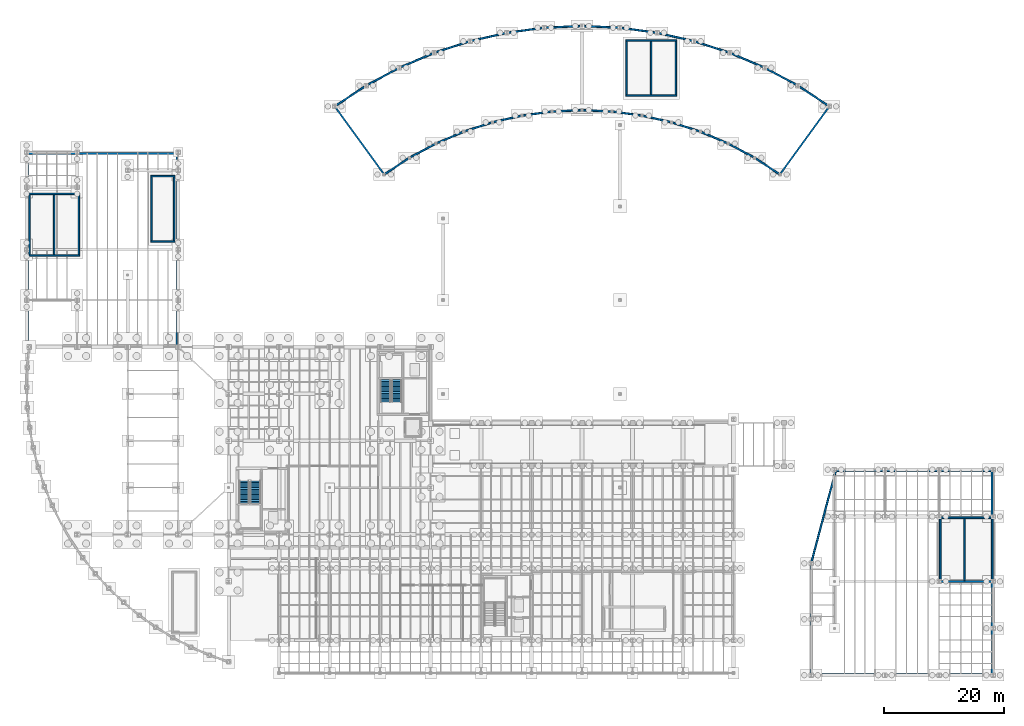
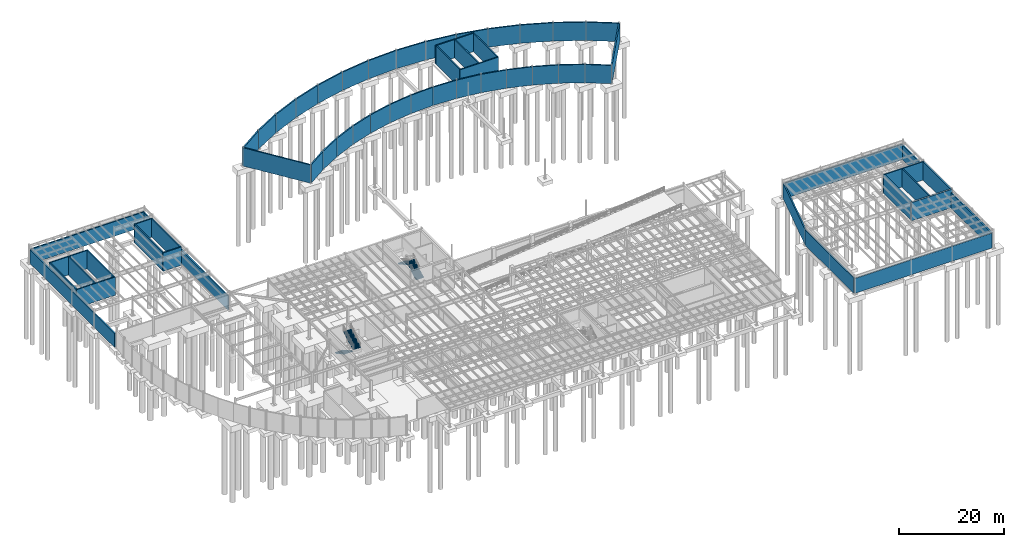
# One storey, part 36 of 41: 58 walls, 4 stair flights, 2 elements without a shape of their own.
"""IFC4 building model written with IfcOpenShell, lengths in metres."""

import ifcopenshell
import ifcopenshell.guid

model = None  # the IFC model being written
_history = None  # IfcOwnerHistory: only IFC2X3 demands one
_inside = {}  # id of a spatial element -> (the spatial element, [elements in it])
_under = {}  # id of a project, library or spatial element -> (it, [spatial elements below it])
_declared = {}  # id of a project -> (the project, [libraries it declares])
_typed = {}  # id of a type object -> (the type object, [elements of that type])
_made_of = {}  # id of a material, layer set ... -> (it, [elements and type objects made of it])


def new_model(schema):
    """Start an empty IFC model of exactly this schema.

    Asked for "IFC4X3", IfcOpenShell would pick the latest addendum, in which some entities
    have other attributes; the version numbers below select the first issue.
    IFC2X3 requires an IfcOwnerHistory on every rooted entity: one is made here for all.
    """
    global model, _history
    if schema == "IFC4X3":
        model = ifcopenshell.file(schema_version=(4, 3, 0, 0))
    else:
        model = ifcopenshell.file(schema=schema)
    _inside.clear()
    _under.clear()
    _declared.clear()
    _typed.clear()
    _made_of.clear()
    _history = None
    if model.schema == "IFC2X3":
        org = make("IfcOrganization", Name="unknown")
        user = make(
            "IfcPersonAndOrganization",
            ThePerson=make("IfcPerson", FamilyName="unknown"),
            TheOrganization=org,
        )
        app = make(
            "IfcApplication",
            ApplicationDeveloper=org,
            Version="unknown",
            ApplicationFullName="unknown",
            ApplicationIdentifier="unknown",
        )
        _history = make(
            "IfcOwnerHistory",
            OwningUser=user,
            OwningApplication=app,
            ChangeAction="ADDED",
            CreationDate=0,
        )
    return model


def make(cls, **values):
    """One entity of the class cls with the attributes given. An attribute that is None is left unset."""
    return model.create_entity(
        cls, **{name: value for name, value in values.items() if value is not None}
    )


def rooted(cls, **values):
    """An entity with a GlobalId (a new one), such as an element, a storey or a relation."""
    return make(cls, GlobalId=ifcopenshell.guid.new(), OwnerHistory=_history, **values)


def si_unit(unit_type, name, prefix=None):
    """IfcSIUnit, for example si_unit("LENGTHUNIT", "METRE", prefix="MILLI")."""
    return make("IfcSIUnit", UnitType=unit_type, Prefix=prefix, Name=name)


def assignment(units):
    """IfcUnitAssignment: the units of a project."""
    return None if units is None else make("IfcUnitAssignment", Units=units)


def point(xyz):
    """IfcCartesianPoint."""
    return None if xyz is None else make("IfcCartesianPoint", Coordinates=xyz)


def direction(xyz):
    """IfcDirection."""
    return None if xyz is None else make("IfcDirection", DirectionRatios=xyz)


def frame(location, z_axis=None, x_axis=None):
    """IfcAxis2Placement3D, a coordinate frame: its origin and axes. An axis left out is left unset."""
    return make(
        "IfcAxis2Placement3D",
        Location=point(location),
        Axis=direction(z_axis),
        RefDirection=direction(x_axis),
    )


def frame_2d(location, x_axis=None):
    """IfcAxis2Placement2D, a coordinate frame in the plane: its origin and x axis."""
    return make(
        "IfcAxis2Placement2D", Location=point(location), RefDirection=direction(x_axis)
    )


def origin():
    """The frame at (0, 0, 0) with its axes left unset."""
    return frame((0.0, 0.0, 0.0))


def place(relative_to, where):
    """IfcLocalPlacement: puts the frame where relative to a parent placement (None: the world)."""
    return make(
        "IfcLocalPlacement", PlacementRelTo=relative_to, RelativePlacement=where
    )


def context(
    kind, dimensions, precision=None, world=None, true_north=None, identifier=None
):
    """IfcGeometricRepresentationContext, for example the 3D "Model" context."""
    return make(
        "IfcGeometricRepresentationContext",
        ContextIdentifier=identifier,
        ContextType=kind,
        CoordinateSpaceDimension=dimensions,
        Precision=precision,
        WorldCoordinateSystem=world,
        TrueNorth=true_north,
    )


def subcontext(parent, identifier, kind, view, scale=None):
    """IfcGeometricRepresentationSubContext, for example "Body" below "Model"."""
    return make(
        "IfcGeometricRepresentationSubContext",
        ContextIdentifier=identifier,
        ContextType=kind,
        ParentContext=parent,
        TargetScale=scale,
        TargetView=view,
    )


def project(units=None, contexts=None):
    """IfcProject with its units and contexts."""
    return rooted(
        "IfcProject",
        Name="project",
        RepresentationContexts=contexts,
        UnitsInContext=assignment(units),
    )


def spatial(cls, under=None, at=None, **own):
    """A site, building, storey or space (cls), placed at a placement, below another one or the project."""
    s = rooted(cls, ObjectPlacement=at, **own)
    if under is not None:
        _under.setdefault(under.id(), (under, []))[1].append(s)
    return s


def polyline(points):
    """IfcPolyline through the points."""
    return make("IfcPolyline", Points=[point(p) for p in points])


def profile(cls, at=None, kind="AREA", **sizes):
    """A parametric profile (cls). Its sizes go by their IFC names, for example OverallWidth=200.0."""
    return make(cls, ProfileType=kind, Position=at, **sizes)


def rectangle(**sizes):
    """IfcRectangleProfileDef."""
    return profile("IfcRectangleProfileDef", **sizes)


def outline(outer, holes=None, kind="AREA"):
    """IfcArbitraryClosedProfileDef: a profile drawn as a closed curve; with holes, ...WithVoids."""
    if holes is None:
        return make("IfcArbitraryClosedProfileDef", ProfileType=kind, OuterCurve=outer)
    return make(
        "IfcArbitraryProfileDefWithVoids",
        ProfileType=kind,
        OuterCurve=outer,
        InnerCurves=holes,
    )


def extrude(swept, where, along, depth):
    """IfcExtrudedAreaSolid: the profile swept, set in the frame where, extruded along a direction by depth."""
    return make(
        "IfcExtrudedAreaSolid",
        SweptArea=swept,
        Position=where,
        ExtrudedDirection=direction(along),
        Depth=depth,
    )


def shape(context_of_items, identifier, shape_type, items):
    """IfcShapeRepresentation: the items that make up one representation, for example the "Body"."""
    return make(
        "IfcShapeRepresentation",
        ContextOfItems=context_of_items,
        RepresentationIdentifier=identifier,
        RepresentationType=shape_type,
        Items=items,
    )


def material(Name=None, Category=None):
    """IfcMaterial."""
    return make("IfcMaterial", Name=Name, Category=Category)


def layer(
    of_material, thickness, ventilated=None, Name=None, Category=None, Priority=None
):
    """IfcMaterialLayer: one layer of a wall or slab, of a material (None: an air gap)."""
    return make(
        "IfcMaterialLayer",
        Material=of_material,
        LayerThickness=thickness,
        IsVentilated=ventilated,
        Name=Name,
        Category=Category,
        Priority=Priority,
    )


def layer_set(layers, Name=None):
    """IfcMaterialLayerSet."""
    return make("IfcMaterialLayerSet", MaterialLayers=layers, LayerSetName=Name)


def made_of(thing, what):
    """Note that an element or type object is made of a material, layer set ...; save() writes the relation."""
    if what is not None:
        _made_of.setdefault(what.id(), (what, []))[1].append(thing)
    return thing


def type_object(cls, material=None, **own):
    """A type object (cls), such as IfcWallType, which elements share."""
    return made_of(rooted(cls, **own), material)


def element(
    cls,
    number,
    at=None,
    inside=None,
    cuts=None,
    type_object=None,
    material=None,
    context=None,
    identifier="Body",
    shape_type=None,
    held_by="IfcProductDefinitionShape",
    body=None,
    shapes=None,
    **own,
):
    """One element of the class cls, such as IfcWall. Its Tag is "e" and its number.

    at: its placement. inside: the storey or other place that contains it. cuts: it is an
    opening in that element (IfcRelVoidsElement). A single representation is given by context,
    identifier, shape_type and body (its items); several are given by shapes. held_by: the class
    of the entity that holds the representations. save() writes the other relations.
    """
    e = rooted(cls, Tag="e%d" % number, ObjectPlacement=at, **own)
    if body is not None:
        shapes = [shape(context, identifier, shape_type, body)]
    if shapes is not None:
        e.Representation = make(held_by, Representations=shapes)
    if inside is not None:
        _inside.setdefault(inside.id(), (inside, []))[1].append(e)
    if cuts is not None:
        rooted(
            "IfcRelVoidsElement", RelatingBuildingElement=cuts, RelatedOpeningElement=e
        )
    if type_object is not None:
        _typed.setdefault(type_object.id(), (type_object, []))[1].append(e)
    return made_of(e, material)


def aggregate(whole, parts):
    """IfcRelAggregates: a whole, such as a stair, and the parts it consists of."""
    return rooted("IfcRelAggregates", RelatingObject=whole, RelatedObjects=parts)


def save(model, path):
    """Write the relations noted so far, then the file.

    IfcRelAggregates (storeys below a building ...), IfcRelContainedInSpatialStructure (elements
    in a storey), IfcRelDefinesByType, IfcRelAssociatesMaterial and IfcRelDeclares: one each for
    every whole, place, type object, material and project.
    """
    for whole, parts in _under.values():
        aggregate(whole, parts)
    for where, things in _inside.values():
        rooted(
            "IfcRelContainedInSpatialStructure",
            RelatedElements=things,
            RelatingStructure=where,
        )
    for kind, things in _typed.values():
        rooted("IfcRelDefinesByType", RelatedObjects=things, RelatingType=kind)
    for what, things in _made_of.values():
        rooted("IfcRelAssociatesMaterial", RelatedObjects=things, RelatingMaterial=what)
    for by, libraries in _declared.values():
        rooted("IfcRelDeclares", RelatingContext=by, RelatedDefinitions=libraries)
    model.write(path)


model = new_model("IFC4")

# Units and contexts
model_context = context("Model", 3, precision=1e-05, world=origin(), true_north=direction((0.0, 1.0)))
body_context = subcontext(model_context, "Body", "Model", "MODEL_VIEW")
ifc_project = project(units=[si_unit("LENGTHUNIT", "METRE"), si_unit("AREAUNIT", "SQUARE_METRE"), si_unit("VOLUMEUNIT", "CUBIC_METRE"), si_unit("PLANEANGLEUNIT", "RADIAN"), si_unit("MASSUNIT", "GRAM", prefix="KILO")], contexts=[model_context])

# Site, building, storey
site_placement = place(None, origin())
site = spatial("IfcSite", under=ifc_project, at=site_placement, CompositionType="ELEMENT")
building_placement = place(site_placement, origin())
building = spatial("IfcBuilding", under=site, at=building_placement, Name="Selat Folded Stagehouse", CompositionType="ELEMENT")
storey_placement = place(building_placement, frame((0.0, 0.0, -4.5)))
storey = spatial("IfcBuildingStorey", under=building, at=storey_placement, Name="B1", CompositionType="ELEMENT", Elevation=-4.5)

# Walls
ifc_material_1 = material(Name="Concrete C50/60", Category="concrete")
ifc_layer_1 = layer(ifc_material_1, 0.25)
ifc_layer_set_1 = layer_set([ifc_layer_1], Name="Concrete C50/60")
wall_type_1 = type_object("IfcWallType", Name="WAL-CORE-250", PredefinedType="SHEAR", material=ifc_layer_set_1)
for number, where, z_axis, x_axis, name in (
    (1, (24.64501953125, 72.1201171875, 0.0), (0.0, 0.0, 1.0), (-1.0, 0.0, 0.0), "B1 ST-07 substructure stem wall S"),
    (2, (20.655029296875, 83.02001953125, 0.0), (0.0, 0.0, 1.0), (1.0, 0.0, 0.0), "B1 ST-07 substructure stem wall N"),
):
    element("IfcWall", number, at=place(storey_placement, frame(where, z_axis=z_axis, x_axis=x_axis)), inside=storey, type_object=wall_type_1, Name=name, PredefinedType="SHEAR", context=body_context, shape_type="SweptSolid", body=[
        extrude(rectangle(XDim=3.989990234375, YDim=0.25, at=frame_2d((1.9951171875, 0.0))), origin(), (0.0, 0.0, 1.0), 4.239990234375),
    ])
for number, where, z_axis, x_axis, name in (
    (3, (20.780029296875, 72.2451171875, 0.0), (0.0, 0.0, 1.0), (0.0, 1.0, 0.0), "B1 ST-07 substructure stem wall W"),
    (4, (24.52001953125, 82.89501953125, 0.0), (0.0, 0.0, 1.0), (0.0, -1.0, 0.0), "B1 ST-07 substructure stem wall E"),
):
    element("IfcWall", number, at=place(storey_placement, frame(where, z_axis=z_axis, x_axis=x_axis)), inside=storey, type_object=wall_type_1, Name=name, PredefinedType="SHEAR", context=body_context, shape_type="SweptSolid", body=[
        extrude(rectangle(XDim=10.64990234375, YDim=0.25, at=frame_2d((5.324951171875, 0.0))), origin(), (0.0, 0.0, 1.0), 4.239990234375),
    ])
wall_1_placement = place(storey_placement, frame((156.02001953125, 26.050048828125, 0.0), z_axis=(0.0, 0.0, 1.0), x_axis=(0.0, -1.0, 0.0)))
element("IfcWall", 5, at=wall_1_placement, inside=storey, type_object=wall_type_1, Name="B1 CR-4 substructure stem wall DIV", PredefinedType="SHEAR", context=body_context, shape_type="SweptSolid", body=[
    extrude(rectangle(XDim=10.300048828125, YDim=0.25, at=frame_2d((5.14990234375, 0.0))), origin(), (0.0, 0.0, 1.0), 4.239990234375),
])
for number, where, z_axis, x_axis, name in (
    (6, (8.824951171875, 69.800048828125, 0.0), (0.0, 0.0, 1.0), (-1.0, 0.0, 0.0), "B1 CR-5 substructure stem wall S"),
    (7, (0.375, 80.06005859375, 0.0), (0.0, 0.0, 1.0), (1.0, 0.0, 0.0), "B1 CR-5 substructure stem wall N"),
):
    element("IfcWall", number, at=place(storey_placement, frame(where, z_axis=z_axis, x_axis=x_axis)), inside=storey, type_object=wall_type_1, Name=name, PredefinedType="SHEAR", context=body_context, shape_type="SweptSolid", body=[
        extrude(rectangle(XDim=8.449951171875, YDim=0.25, at=frame_2d((4.22509765625, 0.0))), origin(), (0.0, 0.0, 1.0), 4.239990234375),
    ])
for number, where, z_axis, x_axis, name in (
    (8, (0.5, 69.925048828125, 0.0), (0.0, 0.0, 1.0), (0.0, 1.0, 0.0), "B1 CR-5 substructure stem wall W"),
    (9, (8.699951171875, 79.93505859375, 0.0), (0.0, 0.0, 1.0), (0.0, -1.0, 0.0), "B1 CR-5 substructure stem wall E"),
    (10, (4.580078125, 79.93505859375, 0.0), (0.0, 0.0, 1.0), (0.0, -1.0, 0.0), "B1 CR-5 substructure stem wall DIV"),
):
    element("IfcWall", number, at=place(storey_placement, frame(where, z_axis=z_axis, x_axis=x_axis)), inside=storey, type_object=wall_type_1, Name=name, PredefinedType="SHEAR", context=body_context, shape_type="SweptSolid", body=[
        extrude(rectangle(XDim=10.010009765625, YDim=0.25, at=frame_2d((5.0048828125, 0.0))), origin(), (0.0, 0.0, 1.0), 4.239990234375),
    ])
for number, where, z_axis, x_axis, name in (
    (11, (108.125, 96.39990234375, 0.0), (0.0, 0.0, 1.0), (-1.0, 0.0, 0.0), "B1 CR-6 substructure stem wall S"),
    (12, (99.675048828125, 105.60009765625, 0.0), (0.0, 0.0, 1.0), (1.0, 0.0, 0.0), "B1 CR-6 substructure stem wall N"),
):
    element("IfcWall", number, at=place(storey_placement, frame(where, z_axis=z_axis, x_axis=x_axis)), inside=storey, type_object=wall_type_1, Name=name, PredefinedType="SHEAR", context=body_context, shape_type="SweptSolid", body=[
        extrude(rectangle(XDim=8.449951171875, YDim=0.25, at=frame_2d((4.22509765625, 0.0))), origin(), (0.0, 0.0, 1.0), 4.239990234375),
    ])
for number, where, z_axis, x_axis, name in (
    (13, (99.800048828125, 96.52490234375, 0.0), (0.0, 0.0, 1.0), (0.0, 1.0, 0.0), "B1 CR-6 substructure stem wall W"),
    (14, (108.0, 105.47509765625, 0.0), (0.0, 0.0, 1.0), (0.0, -1.0, 0.0), "B1 CR-6 substructure stem wall E"),
    (15, (103.8798828125, 105.47509765625, 0.0), (0.0, 0.0, 1.0), (0.0, -1.0, 0.0), "B1 CR-6 substructure stem wall DIV"),
):
    element("IfcWall", number, at=place(storey_placement, frame(where, z_axis=z_axis, x_axis=x_axis)), inside=storey, type_object=wall_type_1, Name=name, PredefinedType="SHEAR", context=body_context, shape_type="SweptSolid", body=[
        extrude(rectangle(XDim=8.9501953125, YDim=0.25, at=frame_2d((4.47509765625, 0.0))), origin(), (0.0, 0.0, 1.0), 4.239990234375),
    ])
ifc_material_2 = material(Name="Precast concrete C40/50", Category="concrete")
ifc_layer_2 = layer(ifc_material_2, 0.280029296875)
ifc_layer_set_2 = layer_set([ifc_layer_2], Name="Precast concrete C40/50")
wall_type_2 = type_object("IfcWallType", Name="WAL-PLINTH-280", PredefinedType="STANDARD", material=ifc_layer_set_2)
wall_2_placement = place(storey_placement, frame((130.510498046875, 0.199951171875, 0.0), z_axis=(0.0, 0.0, 1.0), x_axis=(1.0, 0.0, 0.0)))
element("IfcWall", 16, at=wall_2_placement, inside=storey, type_object=wall_type_2, Name="B1 substructure plinth wall 06", PredefinedType="STANDARD", context=body_context, shape_type="SweptSolid", body=[
    extrude(rectangle(XDim=30.089599609375, YDim=0.280029296875, at=frame_2d((15.044921875, 0.0))), origin(), (0.0, 0.0, 1.0), 3.460205078125),
])
wall_3_placement = place(storey_placement, frame((160.60009765625, 0.199951171875, 0.0), z_axis=(0.0, 0.0, 1.0), x_axis=(0.0, 1.0, 0.0)))
element("IfcWall", 17, at=wall_3_placement, inside=storey, type_object=wall_type_2, Name="B1 substructure plinth wall 07", PredefinedType="STANDARD", context=body_context, shape_type="SweptSolid", body=[
    extrude(rectangle(XDim=15.320068359375, YDim=0.280029296875, at=frame_2d((7.66015625, 0.0))), origin(), (0.0, 0.0, 1.0), 3.54638671875),
])
wall_4_placement = place(storey_placement, frame((160.60009765625, 26.550048828125, 0.0), z_axis=(0.0, 0.0, 1.0), x_axis=(0.0, 1.0, 0.0)))
element("IfcWall", 18, at=wall_4_placement, inside=storey, type_object=wall_type_2, Name="B1 substructure plinth wall 08", PredefinedType="STANDARD", context=body_context, shape_type="SweptSolid", body=[
    extrude(rectangle(XDim=7.449951171875, YDim=0.280029296875, at=frame_2d((3.72509765625, 0.0))), origin(), (0.0, 0.0, 1.0), 3.379150390625),
])
wall_5_placement = place(storey_placement, frame((160.60009765625, 34.0, 0.0), z_axis=(0.0, 0.0, 1.0), x_axis=(-1.0, 0.0, 0.0)))
element("IfcWall", 19, at=wall_5_placement, inside=storey, type_object=wall_type_2, Name="B1 substructure plinth wall 09", PredefinedType="STANDARD", context=body_context, shape_type="SweptSolid", body=[
    extrude(rectangle(XDim=26.0, YDim=0.280029296875, at=frame_2d((13.0, 0.0))), origin(), (0.0, 0.0, 1.0), 3.54638671875),
])
wall_6_placement = place(storey_placement, frame((134.60009765625, 34.0, 0.0), z_axis=(0.0, 0.0, 1.0), x_axis=(-0.256664019692, -0.966500688564, 0.0)))
element("IfcWall", 20, at=wall_6_placement, inside=storey, type_object=wall_type_2, Name="B1 substructure plinth wall 10", PredefinedType="STANDARD", context=body_context, shape_type="SweptSolid", body=[
    extrude(rectangle(XDim=15.93359375, YDim=0.280029296875, at=frame_2d((7.966796875, 0.0))), origin(), (0.0, 0.0, 1.0), 3.54638671875),
])
wall_7_placement = place(storey_placement, frame((130.510498046875, 18.60009765625, 0.0), z_axis=(0.0, 0.0, 1.0), x_axis=(0.0, -1.0, 0.0)))
element("IfcWall", 21, at=wall_7_placement, inside=storey, type_object=wall_type_2, Name="B1 substructure plinth wall 11", PredefinedType="STANDARD", context=body_context, shape_type="SweptSolid", body=[
    extrude(rectangle(XDim=18.400146484375, YDim=0.280029296875, at=frame_2d((9.2001953125, 0.0))), origin(), (0.0, 0.0, 1.0), 3.54638671875),
])
wall_8_placement = place(storey_placement, frame((25.0, 54.800048828125, 0.0), z_axis=(0.0, 0.0, 1.0), x_axis=(0.0, 1.0, 0.0)))
element("IfcWall", 22, at=wall_8_placement, inside=storey, type_object=wall_type_2, Name="B1 substructure plinth wall 13", PredefinedType="STANDARD", context=body_context, shape_type="SweptSolid", body=[
    extrude(rectangle(XDim=32.0, YDim=0.280029296875, at=frame_2d((16.0, 0.0))), origin(), (0.0, 0.0, 1.0), 3.2119140625),
])
wall_9_placement = place(storey_placement, frame((25.0, 86.800048828125, 0.0), z_axis=(0.0, 0.0, 1.0), x_axis=(-1.0, 0.0, 0.0)))
element("IfcWall", 23, at=wall_9_placement, inside=storey, type_object=wall_type_2, Name="B1 substructure plinth wall 14", PredefinedType="STANDARD", context=body_context, shape_type="SweptSolid", body=[
    extrude(rectangle(XDim=24.800048828125, YDim=0.280029296875, at=frame_2d((12.39990234375, 0.0))), origin(), (0.0, 0.0, 1.0), 3.369140625),
])
wall_10_placement = place(storey_placement, frame((0.199951171875, 86.800048828125, 0.0), z_axis=(0.0, 0.0, 1.0), x_axis=(0.0, -1.0, 0.0)))
element("IfcWall", 24, at=wall_10_placement, inside=storey, type_object=wall_type_2, Name="B1 substructure plinth wall 15", PredefinedType="STANDARD", context=body_context, shape_type="SweptSolid", body=[
    extrude(rectangle(XDim=32.0, YDim=0.280029296875, at=frame_2d((16.0, 0.0))), origin(), (0.0, 0.0, 1.0), 3.2119140625),
])
wall_11_placement = place(storey_placement, frame((59.48388671875, 83.304931640625, 0.0), z_axis=(0.0, 0.0, 1.0), x_axis=(0.834583047468, 0.550882144274, 0.0)))
element("IfcWall", 25, at=wall_11_placement, inside=storey, type_object=wall_type_2, Name="B1 substructure plinth wall 36", PredefinedType="STANDARD", context=body_context, shape_type="SweptSolid", body=[
    extrude(rectangle(XDim=5.02490234375, YDim=0.280029296875, at=frame_2d((2.512451171875, 0.0))), origin(), (0.0, 0.0, 1.0), 4.239990234375),
])
wall_12_placement = place(storey_placement, frame((51.2548828125, 94.631103515625, 0.0), z_axis=(0.0, 0.0, 1.0), x_axis=(0.834582959038, 0.550882278244, 0.0)))
element("IfcWall", 26, at=wall_12_placement, inside=storey, type_object=wall_type_2, Name="B1 substructure plinth wall 37", PredefinedType="STANDARD", context=body_context, shape_type="SweptSolid", body=[
    extrude(rectangle(XDim=6.28125, YDim=0.280029296875, at=frame_2d((3.140625, 0.0))), origin(), (0.0, 0.0, 1.0), 4.239990234375),
])
wall_13_placement = place(storey_placement, frame((63.677490234375, 86.072998046875, 0.0), z_axis=(0.0, 0.0, 1.0), x_axis=(0.880584957194, 0.473888312964, 0.0)))
element("IfcWall", 27, at=wall_13_placement, inside=storey, type_object=wall_type_2, Name="B1 substructure plinth wall 38", PredefinedType="STANDARD", context=body_context, shape_type="SweptSolid", body=[
    extrude(rectangle(XDim=5.025146484375, YDim=0.280029296875, at=frame_2d((2.5126953125, 0.0))), origin(), (0.0, 0.0, 1.0), 4.239990234375),
])
wall_14_placement = place(storey_placement, frame((56.4970703125, 98.09130859375, 0.0), z_axis=(0.0, 0.0, 1.0), x_axis=(0.880582156138, 0.473893517883, 0.0)))
element("IfcWall", 28, at=wall_14_placement, inside=storey, type_object=wall_type_2, Name="B1 substructure plinth wall 39", PredefinedType="STANDARD", context=body_context, shape_type="SweptSolid", body=[
    extrude(rectangle(XDim=6.281005859375, YDim=0.280029296875, at=frame_2d((3.140625, 0.0))), origin(), (0.0, 0.0, 1.0), 4.239990234375),
])
wall_15_placement = place(storey_placement, frame((68.1025390625, 88.454345703125, 0.0), z_axis=(0.0, 0.0, 1.0), x_axis=(0.919526599499, 0.393027776135, 0.0)))
element("IfcWall", 29, at=wall_15_placement, inside=storey, type_object=wall_type_2, Name="B1 substructure plinth wall 40", PredefinedType="STANDARD", context=body_context, shape_type="SweptSolid", body=[
    extrude(rectangle(XDim=5.024658203125, YDim=0.280029296875, at=frame_2d((2.51220703125, 0.0))), origin(), (0.0, 0.0, 1.0), 4.239990234375),
])
wall_16_placement = place(storey_placement, frame((62.028076171875, 101.06787109375, 0.0), z_axis=(0.0, 0.0, 1.0), x_axis=(0.919534614305, 0.393009024189, 0.0)))
element("IfcWall", 30, at=wall_16_placement, inside=storey, type_object=wall_type_2, Name="B1 substructure plinth wall 41", PredefinedType="STANDARD", context=body_context, shape_type="SweptSolid", body=[
    extrude(rectangle(XDim=6.281005859375, YDim=0.280029296875, at=frame_2d((3.140625, 0.0))), origin(), (0.0, 0.0, 1.0), 4.239990234375),
])
wall_17_placement = place(storey_placement, frame((72.722900390625, 90.42919921875, 0.0), z_axis=(0.0, 0.0, 1.0), x_axis=(0.951060843481, 0.309003676349, 0.0)))
element("IfcWall", 31, at=wall_17_placement, inside=storey, type_object=wall_type_2, Name="B1 substructure plinth wall 42", PredefinedType="STANDARD", context=body_context, shape_type="SweptSolid", body=[
    extrude(rectangle(XDim=5.02490234375, YDim=0.280029296875, at=frame_2d((2.512451171875, 0.0))), origin(), (0.0, 0.0, 1.0), 4.239990234375),
])
wall_18_placement = place(storey_placement, frame((67.8037109375, 103.536376953125, 0.0), z_axis=(0.0, 0.0, 1.0), x_axis=(0.951058059905, 0.309012243593, 0.0)))
element("IfcWall", 32, at=wall_18_placement, inside=storey, type_object=wall_type_2, Name="B1 substructure plinth wall 43", PredefinedType="STANDARD", context=body_context, shape_type="SweptSolid", body=[
    extrude(rectangle(XDim=6.281005859375, YDim=0.280029296875, at=frame_2d((3.140625, 0.0))), origin(), (0.0, 0.0, 1.0), 4.239990234375),
])
wall_19_placement = place(storey_placement, frame((77.501953125, 91.98193359375, 0.0), z_axis=(0.0, 0.0, 1.0), x_axis=(0.974927211846, 0.222524002305, 0.0)))
element("IfcWall", 33, at=wall_19_placement, inside=storey, type_object=wall_type_2, Name="B1 substructure plinth wall 44", PredefinedType="STANDARD", context=body_context, shape_type="SweptSolid", body=[
    extrude(rectangle(XDim=5.02490234375, YDim=0.280029296875, at=frame_2d((2.512451171875, 0.0))), origin(), (0.0, 0.0, 1.0), 4.239990234375),
])
wall_20_placement = place(storey_placement, frame((73.77734375, 105.477294921875, 0.0), z_axis=(0.0, 0.0, 1.0), x_axis=(0.974926249486, 0.222528218575, 0.0)))
element("IfcWall", 34, at=wall_20_placement, inside=storey, type_object=wall_type_2, Name="B1 substructure plinth wall 45", PredefinedType="STANDARD", context=body_context, shape_type="SweptSolid", body=[
    extrude(rectangle(XDim=6.281005859375, YDim=0.280029296875, at=frame_2d((3.140625, 0.0))), origin(), (0.0, 0.0, 1.0), 4.239990234375),
])
wall_21_placement = place(storey_placement, frame((82.40087890625, 93.10009765625, 0.0), z_axis=(0.0, 0.0, 1.0), x_axis=(0.9909477611, 0.134248034514, 0.0)))
element("IfcWall", 35, at=wall_21_placement, inside=storey, type_object=wall_type_2, Name="B1 substructure plinth wall 46", PredefinedType="STANDARD", context=body_context, shape_type="SweptSolid", body=[
    extrude(rectangle(XDim=5.024658203125, YDim=0.280029296875, at=frame_2d((2.51220703125, 0.0))), origin(), (0.0, 0.0, 1.0), 4.239990234375),
])
wall_22_placement = place(storey_placement, frame((79.90087890625, 106.875, 0.0), z_axis=(0.0, 0.0, 1.0), x_axis=(0.990947344037, 0.134251113014, 0.0)))
element("IfcWall", 36, at=wall_22_placement, inside=storey, type_object=wall_type_2, Name="B1 substructure plinth wall 47", PredefinedType="STANDARD", context=body_context, shape_type="SweptSolid", body=[
    extrude(rectangle(XDim=6.28125, YDim=0.280029296875, at=frame_2d((3.140625, 0.0))), origin(), (0.0, 0.0, 1.0), 4.239990234375),
])
wall_23_placement = place(storey_placement, frame((87.380126953125, 93.774658203125, 0.0), z_axis=(0.0, 0.0, 1.0), x_axis=(0.998993927779, 0.044845649304, 0.0)))
element("IfcWall", 37, at=wall_23_placement, inside=storey, type_object=wall_type_2, Name="B1 substructure plinth wall 48", PredefinedType="STANDARD", context=body_context, shape_type="SweptSolid", body=[
    extrude(rectangle(XDim=5.02490234375, YDim=0.280029296875, at=frame_2d((2.512451171875, 0.0))), origin(), (0.0, 0.0, 1.0), 4.239990234375),
])
wall_24_placement = place(storey_placement, frame((86.125244140625, 107.71826171875, 0.0), z_axis=(0.0, 0.0, 1.0), x_axis=(0.998993472837, 0.044855782563, 0.0)))
element("IfcWall", 38, at=wall_24_placement, inside=storey, type_object=wall_type_2, Name="B1 substructure plinth wall 49", PredefinedType="STANDARD", context=body_context, shape_type="SweptSolid", body=[
    extrude(rectangle(XDim=6.281005859375, YDim=0.280029296875, at=frame_2d((3.140625, 0.0))), origin(), (0.0, 0.0, 1.0), 4.239990234375),
])
wall_25_placement = place(storey_placement, frame((92.39990234375, 94.0, 0.0), z_axis=(0.0, 0.0, 1.0), x_axis=(0.998994025486, -0.044843472693, 0.0)))
element("IfcWall", 39, at=wall_25_placement, inside=storey, type_object=wall_type_2, Name="B1 substructure plinth wall 50", PredefinedType="STANDARD", context=body_context, shape_type="SweptSolid", body=[
    extrude(rectangle(XDim=5.025146484375, YDim=0.280029296875, at=frame_2d((2.5126953125, 0.0))), origin(), (0.0, 0.0, 1.0), 4.239990234375),
])
wall_26_placement = place(storey_placement, frame((92.39990234375, 108.0, 0.0), z_axis=(0.0, 0.0, 1.0), x_axis=(0.99899355104, -0.044854040849, 0.0)))
element("IfcWall", 40, at=wall_26_placement, inside=storey, type_object=wall_type_2, Name="B1 substructure plinth wall 51", PredefinedType="STANDARD", context=body_context, shape_type="SweptSolid", body=[
    extrude(rectangle(XDim=6.28125, YDim=0.280029296875, at=frame_2d((3.140625, 0.0))), origin(), (0.0, 0.0, 1.0), 4.239990234375),
])
wall_27_placement = place(storey_placement, frame((97.419921875, 93.774658203125, 0.0), z_axis=(0.0, 0.0, 1.0), x_axis=(0.9909477611, -0.134248034514, 0.0)))
element("IfcWall", 41, at=wall_27_placement, inside=storey, type_object=wall_type_2, Name="B1 substructure plinth wall 52", PredefinedType="STANDARD", context=body_context, shape_type="SweptSolid", body=[
    extrude(rectangle(XDim=5.024658203125, YDim=0.280029296875, at=frame_2d((2.51220703125, 0.0))), origin(), (0.0, 0.0, 1.0), 4.239990234375),
])
wall_28_placement = place(storey_placement, frame((98.6748046875, 107.71826171875, 0.0), z_axis=(0.0, 0.0, 1.0), x_axis=(0.990946643459, -0.134256284087, 0.0)))
element("IfcWall", 42, at=wall_28_placement, inside=storey, type_object=wall_type_2, Name="B1 substructure plinth wall 53", PredefinedType="STANDARD", context=body_context, shape_type="SweptSolid", body=[
    extrude(rectangle(XDim=6.281005859375, YDim=0.280029296875, at=frame_2d((3.140625, 0.0))), origin(), (0.0, 0.0, 1.0), 4.239990234375),
])
wall_29_placement = place(storey_placement, frame((102.399169921875, 93.10009765625, 0.0), z_axis=(0.0, 0.0, 1.0), x_axis=(0.974927211846, -0.222524002305, 0.0)))
element("IfcWall", 43, at=wall_29_placement, inside=storey, type_object=wall_type_2, Name="B1 substructure plinth wall 54", PredefinedType="STANDARD", context=body_context, shape_type="SweptSolid", body=[
    extrude(rectangle(XDim=5.02490234375, YDim=0.280029296875, at=frame_2d((2.512451171875, 0.0))), origin(), (0.0, 0.0, 1.0), 4.239990234375),
])
wall_30_placement = place(storey_placement, frame((104.89892578125, 106.875, 0.0), z_axis=(0.0, 0.0, 1.0), x_axis=(0.974928174151, -0.22251978619, 0.0)))
element("IfcWall", 44, at=wall_30_placement, inside=storey, type_object=wall_type_2, Name="B1 substructure plinth wall 55", PredefinedType="STANDARD", context=body_context, shape_type="SweptSolid", body=[
    extrude(rectangle(XDim=6.28125, YDim=0.280029296875, at=frame_2d((3.140625, 0.0))), origin(), (0.0, 0.0, 1.0), 4.239990234375),
])
wall_31_placement = place(storey_placement, frame((107.298095703125, 91.98193359375, 0.0), z_axis=(0.0, 0.0, 1.0), x_axis=(0.951056204058, -0.309017955339, 0.0)))
element("IfcWall", 45, at=wall_31_placement, inside=storey, type_object=wall_type_2, Name="B1 substructure plinth wall 56", PredefinedType="STANDARD", context=body_context, shape_type="SweptSolid", body=[
    extrude(rectangle(XDim=5.024658203125, YDim=0.280029296875, at=frame_2d((2.51220703125, 0.0))), origin(), (0.0, 0.0, 1.0), 4.239990234375),
])
wall_32_placement = place(storey_placement, frame((111.022705078125, 105.477294921875, 0.0), z_axis=(0.0, 0.0, 1.0), x_axis=(0.951054348109, -0.309023667285, 0.0)))
element("IfcWall", 46, at=wall_32_placement, inside=storey, type_object=wall_type_2, Name="B1 substructure plinth wall 57", PredefinedType="STANDARD", context=body_context, shape_type="SweptSolid", body=[
    extrude(rectangle(XDim=6.28076171875, YDim=0.280029296875, at=frame_2d((3.140380859375, 0.0))), origin(), (0.0, 0.0, 1.0), 4.239990234375),
])
wall_33_placement = place(storey_placement, frame((112.076904296875, 90.42919921875, 0.0), z_axis=(0.0, 0.0, 1.0), x_axis=(0.919534104414, -0.393010217194, 0.0)))
element("IfcWall", 47, at=wall_33_placement, inside=storey, type_object=wall_type_2, Name="B1 substructure plinth wall 58", PredefinedType="STANDARD", context=body_context, shape_type="SweptSolid", body=[
    extrude(rectangle(XDim=5.02490234375, YDim=0.280029296875, at=frame_2d((2.512451171875, 0.0))), origin(), (0.0, 0.0, 1.0), 4.239990234375),
])
wall_34_placement = place(storey_placement, frame((116.99609375, 103.536376953125, 0.0), z_axis=(0.0, 0.0, 1.0), x_axis=(0.919540617607, -0.392994977793, 0.0)))
element("IfcWall", 48, at=wall_34_placement, inside=storey, type_object=wall_type_2, Name="B1 substructure plinth wall 59", PredefinedType="STANDARD", context=body_context, shape_type="SweptSolid", body=[
    extrude(rectangle(XDim=6.28125, YDim=0.280029296875, at=frame_2d((3.140625, 0.0))), origin(), (0.0, 0.0, 1.0), 4.239990234375),
])
wall_35_placement = place(storey_placement, frame((116.697509765625, 88.454345703125, 0.0), z_axis=(0.0, 0.0, 1.0), x_axis=(0.880574045979, -0.473908587755, 0.0)))
element("IfcWall", 49, at=wall_35_placement, inside=storey, type_object=wall_type_2, Name="B1 substructure plinth wall 60", PredefinedType="STANDARD", context=body_context, shape_type="SweptSolid", body=[
    extrude(rectangle(XDim=5.02490234375, YDim=0.280029296875, at=frame_2d((2.512451171875, 0.0))), origin(), (0.0, 0.0, 1.0), 4.239990234375),
])
wall_36_placement = place(storey_placement, frame((122.77197265625, 101.06787109375, 0.0), z_axis=(0.0, 0.0, 1.0), x_axis=(0.880582156138, -0.473893517883, 0.0)))
element("IfcWall", 50, at=wall_36_placement, inside=storey, type_object=wall_type_2, Name="B1 substructure plinth wall 61", PredefinedType="STANDARD", context=body_context, shape_type="SweptSolid", body=[
    extrude(rectangle(XDim=6.281005859375, YDim=0.280029296875, at=frame_2d((3.140625, 0.0))), origin(), (0.0, 0.0, 1.0), 4.239990234375),
])
wall_37_placement = place(storey_placement, frame((121.122314453125, 86.072998046875, 0.0), z_axis=(0.0, 0.0, 1.0), x_axis=(0.834583047468, -0.550882144274, 0.0)))
element("IfcWall", 51, at=wall_37_placement, inside=storey, type_object=wall_type_2, Name="B1 substructure plinth wall 62", PredefinedType="STANDARD", context=body_context, shape_type="SweptSolid", body=[
    extrude(rectangle(XDim=5.02490234375, YDim=0.280029296875, at=frame_2d((2.512451171875, 0.0))), origin(), (0.0, 0.0, 1.0), 4.239990234375),
])
wall_38_placement = place(storey_placement, frame((128.302978515625, 98.09130859375, 0.0), z_axis=(0.0, 0.0, 1.0), x_axis=(0.834571163011, -0.550900148729, 0.0)))
element("IfcWall", 52, at=wall_38_placement, inside=storey, type_object=wall_type_2, Name="B1 substructure plinth wall 63", PredefinedType="STANDARD", context=body_context, shape_type="SweptSolid", body=[
    extrude(rectangle(XDim=6.281005859375, YDim=0.280029296875, at=frame_2d((3.140625, 0.0))), origin(), (0.0, 0.0, 1.0), 4.239990234375),
])
for number, where, z_axis, x_axis, name in (
    (53, (59.48388671875, 83.304931640625, 0.0), (0.0, 0.0, 1.0), (-0.587787980643, 0.809015012105, 0.0), "B1 substructure plinth wall 64"),
    (54, (133.544921875, 94.631103515625, 0.0), (0.0, 0.0, 1.0), (-0.587787980643, -0.809015012105, 0.0), "B1 substructure plinth wall 65"),
):
    element("IfcWall", number, at=place(storey_placement, frame(where, z_axis=z_axis, x_axis=x_axis)), inside=storey, type_object=wall_type_2, Name=name, PredefinedType="STANDARD", context=body_context, shape_type="SweptSolid", body=[
        extrude(rectangle(XDim=14.0, YDim=0.280029296875, at=frame_2d((7.0, 0.0))), origin(), (0.0, 0.0, 1.0), 4.239990234375),
    ])
ifc_layer_3 = layer(ifc_material_1, 0.300048828125)
ifc_layer_set_3 = layer_set([ifc_layer_3], Name="Concrete C50/60")
wall_type_3 = type_object("IfcWallType", Name="WAL-SW-300", PredefinedType="SHEAR", material=ifc_layer_set_3)
for number, where, z_axis, x_axis, name in (
    (55, (160.800048828125, 15.60009765625, 0.0), (0.0, 0.0, 1.0), (-1.0, 0.0, 0.0), "B1 CR-4 substructure stem wall S"),
    (56, (151.85009765625, 26.199951171875, 0.0), (0.0, 0.0, 1.0), (1.0, 0.0, 0.0), "B1 CR-4 substructure stem wall N"),
):
    element("IfcWall", number, at=place(storey_placement, frame(where, z_axis=z_axis, x_axis=x_axis)), inside=storey, type_object=wall_type_3, Name=name, PredefinedType="SHEAR", context=body_context, shape_type="SweptSolid", body=[
        extrude(rectangle(XDim=8.949951171875, YDim=0.300048828125, at=frame_2d((4.47509765625, 0.0))), origin(), (0.0, 0.0, 1.0), 4.239990234375),
    ])
for number, where, z_axis, x_axis, name in (
    (57, (152.0, 15.75, 0.0), (0.0, 0.0, 1.0), (0.0, 1.0, 0.0), "B1 CR-4 substructure stem wall W"),
    (58, (160.64990234375, 26.050048828125, 0.0), (0.0, 0.0, 1.0), (0.0, -1.0, 0.0), "B1 CR-4 substructure stem wall E"),
):
    element("IfcWall", number, at=place(storey_placement, frame(where, z_axis=z_axis, x_axis=x_axis)), inside=storey, type_object=wall_type_3, Name=name, PredefinedType="SHEAR", context=body_context, shape_type="SweptSolid", body=[
        extrude(rectangle(XDim=10.300048828125, YDim=0.300048828125, at=frame_2d((5.14990234375, 0.0))), origin(), (0.0, 0.0, 1.0), 4.239990234375),
    ])

# Stair, stair flights
ifc_material_3 = material(Name="Concrete C40/50", Category="concrete")
stair_type = type_object("IfcStairType", Name="STR-DOG-1700-28R", PredefinedType="HALF_TURN_STAIR", material=ifc_material_3)
stair_1_placement = place(storey_placement, origin())
stair_1 = element("IfcStair", 59, at=stair_1_placement, inside=storey, type_object=stair_type, Name="B1 Core 1 South-West Fire Core", PredefinedType="HALF_TURN_STAIR")
stair_flight_type = type_object("IfcStairFlightType", Name="STF-STR-1700-14R", PredefinedType="STRAIGHT", material=ifc_material_3)
stair_flight_1_placement = place(storey_placement, frame((36.2099609375, 32.340087890625, 0.0), z_axis=(0.0, 0.0, 1.0), x_axis=(0.0, -1.0, 0.0)))
stair_flight_1 = element("IfcStairFlight", 60, at=stair_flight_1_placement, type_object=stair_flight_type, Name="ST-1700-28R flight 1", NumberOfRisers=14, NumberOfTreads=13, PredefinedType="STRAIGHT", RiserHeight=0.160714286, TreadLength=0.285, context=body_context, shape_type="SweptSolid", body=[
    extrude(outline(polyline([(0.0, 0.0), (0.0, 0.16064453125), (0.284912109375, 0.16064453125), (0.284912109375, 0.321533203125), (0.570068359375, 0.321533203125), (0.570068359375, 0.482177734375), (0.85498046875, 0.482177734375), (0.85498046875, 0.642822265625), (1.139892578125, 0.642822265625), (1.139892578125, 0.803466796875), (1.425048828125, 0.803466796875), (1.425048828125, 0.96435546875), (1.7099609375, 0.96435546875), (1.7099609375, 1.125), (1.9951171875, 1.125), (1.9951171875, 1.28564453125), (2.280029296875, 1.28564453125), (2.280029296875, 1.446533203125), (2.56494140625, 1.446533203125), (2.56494140625, 1.607177734375), (2.85009765625, 1.607177734375), (2.85009765625, 1.767822265625), (3.135009765625, 1.767822265625), (3.135009765625, 1.928466796875), (3.419921875, 1.928466796875), (3.419921875, 2.08935546875), (3.705078125, 2.08935546875), (3.705078125, 2.25), (3.705078125, 1.90576171875), (0.325439453125, 0.0), (0.0, 0.0)])), frame((0.0, 0.85009765625, 0.0), z_axis=(0.0, -1.0, 0.0), x_axis=(1.0, 0.0, 0.0)), (0.0, 0.0, 1.0), 1.699951171875),
])
stair_flight_2_placement = place(storey_placement, frame((38.070068359375, 28.635009765625, 2.25), z_axis=(0.0, 0.0, 1.0), x_axis=(0.0, 1.0, 0.0)))
stair_flight_2 = element("IfcStairFlight", 61, at=stair_flight_2_placement, type_object=stair_flight_type, Name="ST-1700-28R flight 2", NumberOfRisers=14, NumberOfTreads=13, PredefinedType="STRAIGHT", RiserHeight=0.160714286, TreadLength=0.285, context=body_context, shape_type="SweptSolid", body=[
    extrude(outline(polyline([(0.0, 0.0), (0.0, 0.16064453125), (0.284912109375, 0.16064453125), (0.284912109375, 0.321533203125), (0.570068359375, 0.321533203125), (0.570068359375, 0.482177734375), (0.85498046875, 0.482177734375), (0.85498046875, 0.642822265625), (1.139892578125, 0.642822265625), (1.139892578125, 0.803466796875), (1.425048828125, 0.803466796875), (1.425048828125, 0.96435546875), (1.7099609375, 0.96435546875), (1.7099609375, 1.125), (1.9951171875, 1.125), (1.9951171875, 1.28564453125), (2.280029296875, 1.28564453125), (2.280029296875, 1.446533203125), (2.56494140625, 1.446533203125), (2.56494140625, 1.607177734375), (2.85009765625, 1.607177734375), (2.85009765625, 1.767822265625), (3.135009765625, 1.767822265625), (3.135009765625, 1.928466796875), (3.419921875, 1.928466796875), (3.419921875, 2.08935546875), (3.705078125, 2.08935546875), (3.705078125, 2.25), (3.705078125, 1.90576171875), (0.325439453125, 0.0), (0.0, 0.0)])), frame((0.0, 0.85009765625, 0.0), z_axis=(0.0, -1.0, 0.0), x_axis=(1.0, 0.0, 0.0)), (0.0, 0.0, 1.0), 1.699951171875),
])
aggregate(stair_1, [stair_flight_1, stair_flight_2])

stair_2_placement = place(storey_placement, origin())
stair_2 = element("IfcStair", 62, at=stair_2_placement, inside=storey, type_object=stair_type, Name="B1 Core 2 North-East Stage Fire Core", PredefinedType="HALF_TURN_STAIR")
stair_flight_3_placement = place(storey_placement, frame((61.570068359375, 45.4599609375, 0.0), z_axis=(0.0, 0.0, 1.0), x_axis=(0.0, 1.0, 0.0)))
stair_flight_3 = element("IfcStairFlight", 63, at=stair_flight_3_placement, type_object=stair_flight_type, Name="ST-1700-28R flight 1", NumberOfRisers=14, NumberOfTreads=13, PredefinedType="STRAIGHT", RiserHeight=0.160714286, TreadLength=0.285, context=body_context, shape_type="SweptSolid", body=[
    extrude(outline(polyline([(0.0, 0.0), (0.0, 0.16064453125), (0.284912109375, 0.16064453125), (0.284912109375, 0.321533203125), (0.570068359375, 0.321533203125), (0.570068359375, 0.482177734375), (0.85498046875, 0.482177734375), (0.85498046875, 0.642822265625), (1.139892578125, 0.642822265625), (1.139892578125, 0.803466796875), (1.425048828125, 0.803466796875), (1.425048828125, 0.96435546875), (1.7099609375, 0.96435546875), (1.7099609375, 1.125), (1.9951171875, 1.125), (1.9951171875, 1.28564453125), (2.280029296875, 1.28564453125), (2.280029296875, 1.446533203125), (2.56494140625, 1.446533203125), (2.56494140625, 1.607177734375), (2.85009765625, 1.607177734375), (2.85009765625, 1.767822265625), (3.135009765625, 1.767822265625), (3.135009765625, 1.928466796875), (3.419921875, 1.928466796875), (3.419921875, 2.08935546875), (3.705078125, 2.08935546875), (3.705078125, 2.25), (3.705078125, 1.90576171875), (0.325439453125, 0.0), (0.0, 0.0)])), frame((0.0, 0.85009765625, 0.0), z_axis=(0.0, -1.0, 0.0), x_axis=(1.0, 0.0, 0.0)), (0.0, 0.0, 1.0), 1.699951171875),
])
stair_flight_4_placement = place(storey_placement, frame((59.7099609375, 49.1650390625, 2.25), z_axis=(0.0, 0.0, 1.0), x_axis=(0.0, -1.0, 0.0)))
stair_flight_4 = element("IfcStairFlight", 64, at=stair_flight_4_placement, type_object=stair_flight_type, Name="ST-1700-28R flight 2", NumberOfRisers=14, NumberOfTreads=13, PredefinedType="STRAIGHT", RiserHeight=0.160714286, TreadLength=0.285, context=body_context, shape_type="SweptSolid", body=[
    extrude(outline(polyline([(0.0, 0.0), (0.0, 0.16064453125), (0.284912109375, 0.16064453125), (0.284912109375, 0.321533203125), (0.570068359375, 0.321533203125), (0.570068359375, 0.482177734375), (0.85498046875, 0.482177734375), (0.85498046875, 0.642822265625), (1.139892578125, 0.642822265625), (1.139892578125, 0.803466796875), (1.425048828125, 0.803466796875), (1.425048828125, 0.96435546875), (1.7099609375, 0.96435546875), (1.7099609375, 1.125), (1.9951171875, 1.125), (1.9951171875, 1.28564453125), (2.280029296875, 1.28564453125), (2.280029296875, 1.446533203125), (2.56494140625, 1.446533203125), (2.56494140625, 1.607177734375), (2.85009765625, 1.607177734375), (2.85009765625, 1.767822265625), (3.135009765625, 1.767822265625), (3.135009765625, 1.928466796875), (3.419921875, 1.928466796875), (3.419921875, 2.08935546875), (3.705078125, 2.08935546875), (3.705078125, 2.25), (3.705078125, 1.90576171875), (0.325439453125, 0.0), (0.0, 0.0)])), frame((0.0, 0.85009765625, 0.0), z_axis=(0.0, -1.0, 0.0), x_axis=(1.0, 0.0, 0.0)), (0.0, 0.0, 1.0), 1.699951171875),
])
aggregate(stair_2, [stair_flight_3, stair_flight_4])

save(model, "model.ifc")
